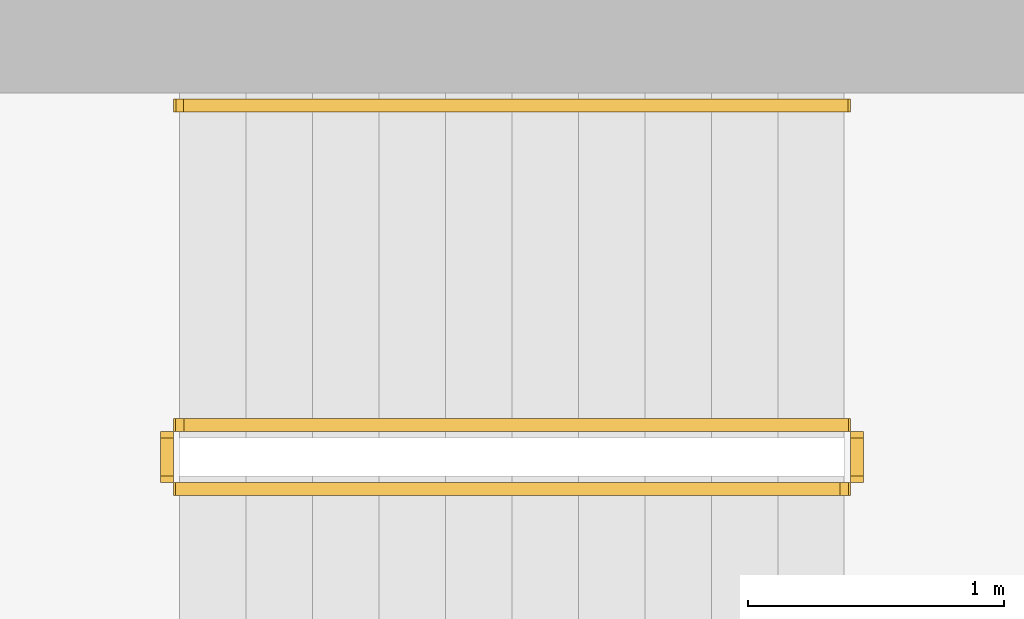
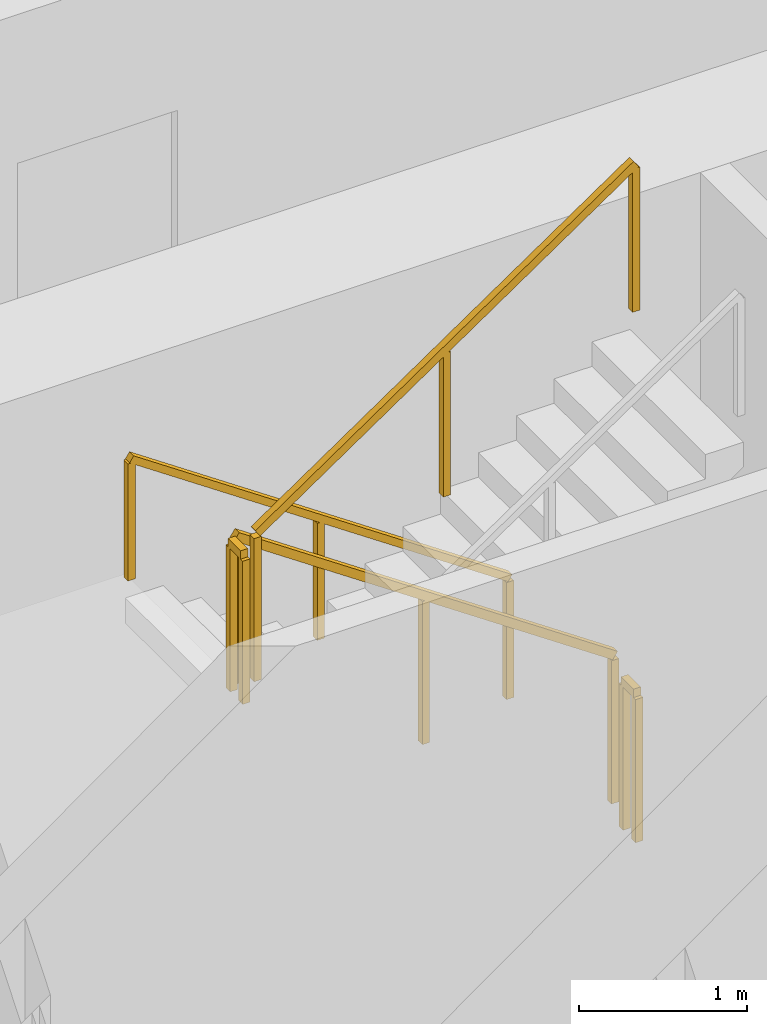
# One storey, part 14 of 15: 5 railings.
"""IFC4 building model written with IfcOpenShell, lengths in metres."""

from ifc_helpers import new_model, si_unit, direction, frame, origin, origin_2d, place, context, subcontext, project, spatial, rectangle, extrude, material, type_object, element, save


model = new_model("IFC4")

# Units and contexts
model_context = context("Model", 3, precision=1e-05, world=origin(), true_north=direction((0.0, 1.0)))
body_context = subcontext(model_context, "Body", "Model", "MODEL_VIEW")
ifc_project = project(units=[si_unit("LENGTHUNIT", "METRE"), si_unit("AREAUNIT", "SQUARE_METRE"), si_unit("VOLUMEUNIT", "CUBIC_METRE"), si_unit("PLANEANGLEUNIT", "RADIAN"), si_unit("MASSUNIT", "GRAM", prefix="KILO")], contexts=[model_context])

# Site, building, storey
site_placement = place(None, origin())
site = spatial("IfcSite", under=ifc_project, at=site_placement, CompositionType="ELEMENT")
building_placement = place(site_placement, origin())
building = spatial("IfcBuilding", under=site, at=building_placement, Name="Khepri Terraces", CompositionType="ELEMENT")
storey_placement = place(building_placement, frame((0.0, 0.0, 248.39990234375)))
storey = spatial("IfcBuildingStorey", under=building, at=storey_placement, Name="L59", CompositionType="ELEMENT", Elevation=248.39990234375)

# Railings
ifc_material = material(Name="Stainless steel 316", Category="steel")
railing_type_1 = type_object("IfcRailingType", Name="RL-CORE-GUARD", PredefinedType="GUARDRAIL", material=ifc_material)
railing_1_placement = place(storey_placement, frame((-0.25, 8.800048828125, 0.177490234375)))
element("IfcRailing", 1, at=railing_1_placement, inside=storey, type_object=railing_type_1, Name="L59 ST-3 stair guard 1", PredefinedType="GUARDRAIL", context=body_context, shape_type="SweptSolid", body=[
    extrude(rectangle(XDim=0.050048828125, YDim=0.06005859375, at=origin_2d()), frame((0.0, 0.0, 1.070068359375), z_axis=(-0.826240473404, 0.0, 0.563317565952), x_axis=(0.0, -1.0, 0.0)), (0.0, 0.0, 1.0), 3.14697265625),
    extrude(rectangle(XDim=0.050048828125, YDim=0.050048828125, at=origin_2d()), origin(), (0.0, 0.0, 1.0), 1.0400390625),
    extrude(rectangle(XDim=0.050048828125, YDim=0.050048828125, at=origin_2d()), frame((-1.300048828125, 0.0, 0.88623046875)), (0.0, 0.0, 1.0), 1.0400390625),
    extrude(rectangle(XDim=0.050048828125, YDim=0.050048828125, at=origin_2d()), frame((-2.60009765625, 0.0, 1.772705078125)), (0.0, 0.0, 1.0), 1.0400390625),
])
railing_2_placement = place(storey_placement, frame((-2.89990234375, 8.75, 1.9501953125)))
element("IfcRailing", 2, at=railing_2_placement, inside=storey, type_object=railing_type_1, Name="L59 ST-3 stair guard 2", PredefinedType="GUARDRAIL", context=body_context, shape_type="SweptSolid", body=[
    extrude(rectangle(XDim=0.050048828125, YDim=0.06005859375, at=origin_2d()), frame((0.0, 0.0, 1.070068359375), z_axis=(0.0, -1.0, 0.0), x_axis=(1.0, 0.0, 0.0)), (0.0, 0.0, 1.0), 0.14990234375),
    extrude(rectangle(XDim=0.050048828125, YDim=0.050048828125, at=origin_2d()), origin(), (0.0, 0.0, 1.0), 1.0400390625),
    extrude(rectangle(XDim=0.050048828125, YDim=0.050048828125, at=origin_2d()), frame((0.0, -0.14990234375, 0.0)), (0.0, 0.0, 1.0), 1.0400390625),
])
railing_3_placement = place(storey_placement, frame((-2.85009765625, 8.550048828125, 2.12744140625)))
element("IfcRailing", 3, at=railing_3_placement, inside=storey, type_object=railing_type_1, Name="L59 ST-3 stair guard 3", PredefinedType="GUARDRAIL", context=body_context, shape_type="SweptSolid", body=[
    extrude(rectangle(XDim=0.050048828125, YDim=0.06005859375, at=origin_2d()), frame((0.0, 0.0, 1.070068359375), z_axis=(0.826240473404, 0.0, 0.563317565952), x_axis=(0.0, 1.0, 0.0)), (0.0, 0.0, 1.0), 3.14697265625),
    extrude(rectangle(XDim=0.050048828125, YDim=0.050048828125, at=origin_2d()), origin(), (0.0, 0.0, 1.0), 1.0400390625),
    extrude(rectangle(XDim=0.050048828125, YDim=0.050048828125, at=origin_2d()), frame((1.300048828125, 0.0, 0.88623046875)), (0.0, 0.0, 1.0), 1.0400390625),
    extrude(rectangle(XDim=0.050048828125, YDim=0.050048828125, at=origin_2d()), frame((2.60009765625, 0.0, 1.772705078125)), (0.0, 0.0, 1.0), 1.0400390625),
])
railing_4_placement = place(storey_placement, frame((-0.199951171875, 8.75, 0.0)))
element("IfcRailing", 4, at=railing_4_placement, inside=storey, type_object=railing_type_1, Name="L59 ST-3 stair guard 4", PredefinedType="GUARDRAIL", context=body_context, shape_type="SweptSolid", body=[
    extrude(rectangle(XDim=0.050048828125, YDim=0.06005859375, at=origin_2d()), frame((0.0, 0.0, 1.070068359375), z_axis=(0.0, -1.0, 0.0), x_axis=(1.0, 0.0, 0.0)), (0.0, 0.0, 1.0), 0.14990234375),
    extrude(rectangle(XDim=0.050048828125, YDim=0.050048828125, at=origin_2d()), origin(), (0.0, 0.0, 1.0), 1.0400390625),
    extrude(rectangle(XDim=0.050048828125, YDim=0.050048828125, at=origin_2d()), frame((0.0, -0.14990234375, 0.0)), (0.0, 0.0, 1.0), 1.0400390625),
])
railing_type_2 = type_object("IfcRailingType", Name="RL-CORE-HANDRAIL", PredefinedType="HANDRAIL", material=ifc_material)
railing_5_placement = place(storey_placement, frame((-0.25, 10.050048828125, 0.177490234375)))
element("IfcRailing", 5, at=railing_5_placement, inside=storey, type_object=railing_type_2, Name="L59 ST-3 stair handrail 1", PredefinedType="HANDRAIL", context=body_context, shape_type="SweptSolid", body=[
    extrude(rectangle(XDim=0.050048828125, YDim=0.050048828125, at=origin_2d()), frame((0.0, 0.0, 0.875), z_axis=(-0.826240473404, 0.0, 0.563317565952), x_axis=(0.0, -1.0, 0.0)), (0.0, 0.0, 1.0), 3.14697265625),
    extrude(rectangle(XDim=0.050048828125, YDim=0.050048828125, at=origin_2d()), origin(), (0.0, 0.0, 1.0), 0.849853515625),
    extrude(rectangle(XDim=0.050048828125, YDim=0.050048828125, at=origin_2d()), frame((-1.300048828125, 0.0, 0.88623046875)), (0.0, 0.0, 1.0), 0.849853515625),
    extrude(rectangle(XDim=0.050048828125, YDim=0.050048828125, at=origin_2d()), frame((-2.60009765625, 0.0, 1.772705078125)), (0.0, 0.0, 1.0), 0.849853515625),
])

save(model, "model.ifc")
